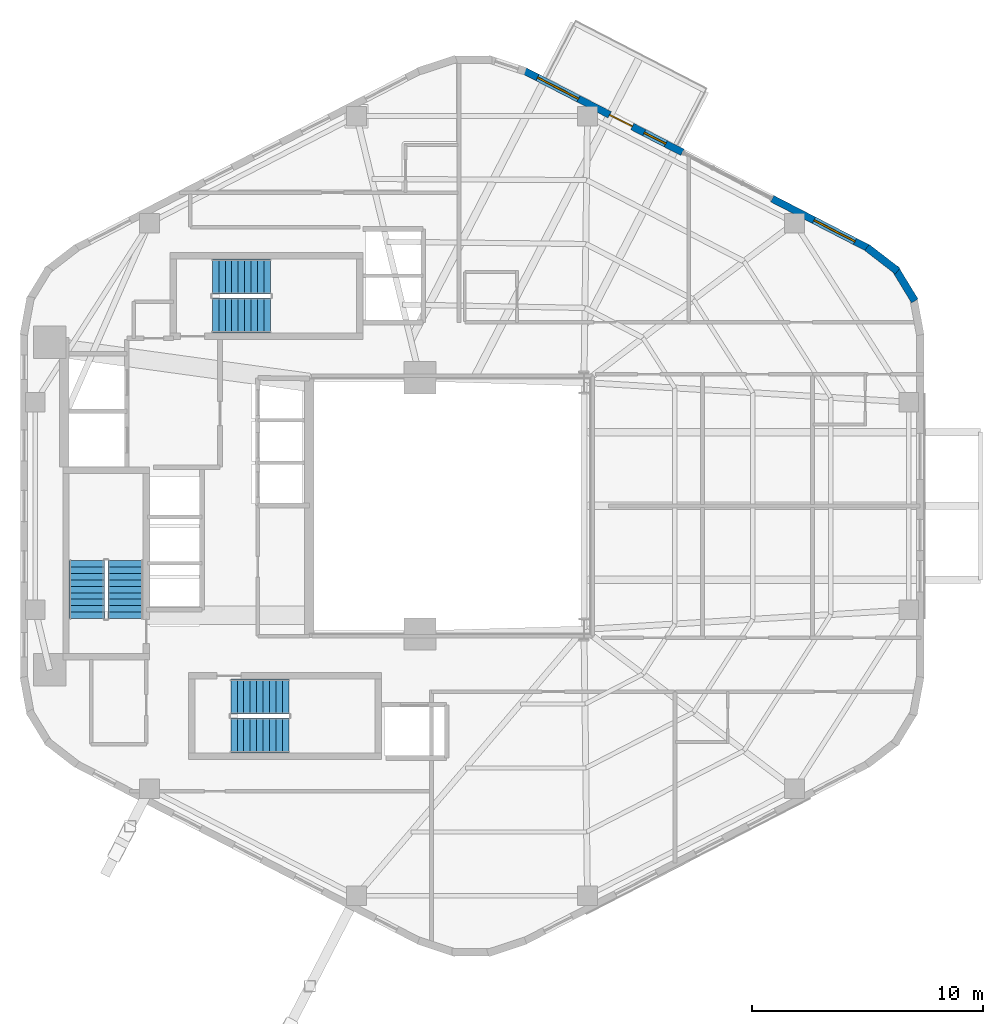
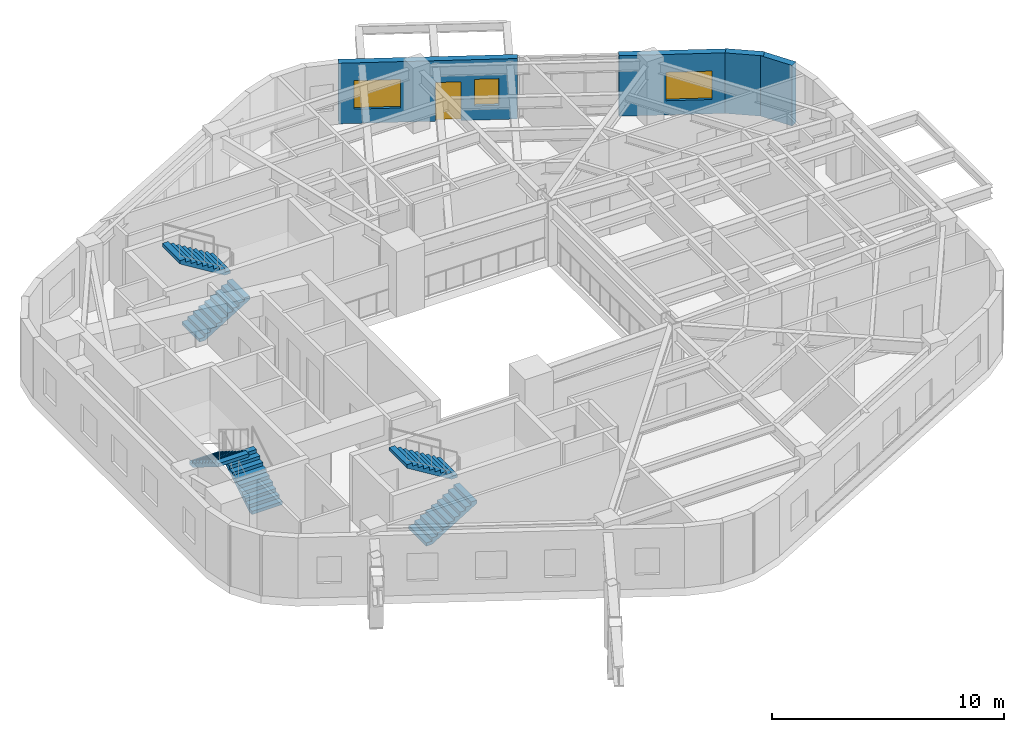
# One storey, part 10 of 12: 6 stair flights, 4 walls, 3 windows, 1 door, 4 openings, 3 elements without a shape of their own.
"""IFC4 building model written with IfcOpenShell, lengths in metres."""

import ifcopenshell
import ifcopenshell.guid

model = None  # the IFC model being written
_history = None  # IfcOwnerHistory: only IFC2X3 demands one
_inside = {}  # id of a spatial element -> (the spatial element, [elements in it])
_under = {}  # id of a project, library or spatial element -> (it, [spatial elements below it])
_declared = {}  # id of a project -> (the project, [libraries it declares])
_typed = {}  # id of a type object -> (the type object, [elements of that type])
_made_of = {}  # id of a material, layer set ... -> (it, [elements and type objects made of it])


def new_model(schema):
    """Start an empty IFC model of exactly this schema.

    Asked for "IFC4X3", IfcOpenShell would pick the latest addendum, in which some entities
    have other attributes; the version numbers below select the first issue.
    IFC2X3 requires an IfcOwnerHistory on every rooted entity: one is made here for all.
    """
    global model, _history
    if schema == "IFC4X3":
        model = ifcopenshell.file(schema_version=(4, 3, 0, 0))
    else:
        model = ifcopenshell.file(schema=schema)
    _inside.clear()
    _under.clear()
    _declared.clear()
    _typed.clear()
    _made_of.clear()
    _history = None
    if model.schema == "IFC2X3":
        org = make("IfcOrganization", Name="unknown")
        user = make(
            "IfcPersonAndOrganization",
            ThePerson=make("IfcPerson", FamilyName="unknown"),
            TheOrganization=org,
        )
        app = make(
            "IfcApplication",
            ApplicationDeveloper=org,
            Version="unknown",
            ApplicationFullName="unknown",
            ApplicationIdentifier="unknown",
        )
        _history = make(
            "IfcOwnerHistory",
            OwningUser=user,
            OwningApplication=app,
            ChangeAction="ADDED",
            CreationDate=0,
        )
    return model


def make(cls, **values):
    """One entity of the class cls with the attributes given. An attribute that is None is left unset."""
    return model.create_entity(
        cls, **{name: value for name, value in values.items() if value is not None}
    )


def rooted(cls, **values):
    """An entity with a GlobalId (a new one), such as an element, a storey or a relation."""
    return make(cls, GlobalId=ifcopenshell.guid.new(), OwnerHistory=_history, **values)


def si_unit(unit_type, name, prefix=None):
    """IfcSIUnit, for example si_unit("LENGTHUNIT", "METRE", prefix="MILLI")."""
    return make("IfcSIUnit", UnitType=unit_type, Prefix=prefix, Name=name)


def assignment(units):
    """IfcUnitAssignment: the units of a project."""
    return None if units is None else make("IfcUnitAssignment", Units=units)


def point(xyz):
    """IfcCartesianPoint."""
    return None if xyz is None else make("IfcCartesianPoint", Coordinates=xyz)


def direction(xyz):
    """IfcDirection."""
    return None if xyz is None else make("IfcDirection", DirectionRatios=xyz)


def frame(location, z_axis=None, x_axis=None):
    """IfcAxis2Placement3D, a coordinate frame: its origin and axes. An axis left out is left unset."""
    return make(
        "IfcAxis2Placement3D",
        Location=point(location),
        Axis=direction(z_axis),
        RefDirection=direction(x_axis),
    )


def frame_2d(location, x_axis=None):
    """IfcAxis2Placement2D, a coordinate frame in the plane: its origin and x axis."""
    return make(
        "IfcAxis2Placement2D", Location=point(location), RefDirection=direction(x_axis)
    )


def origin():
    """The frame at (0, 0, 0) with its axes left unset."""
    return frame((0.0, 0.0, 0.0))


def place(relative_to, where):
    """IfcLocalPlacement: puts the frame where relative to a parent placement (None: the world)."""
    return make(
        "IfcLocalPlacement", PlacementRelTo=relative_to, RelativePlacement=where
    )


def context(
    kind, dimensions, precision=None, world=None, true_north=None, identifier=None
):
    """IfcGeometricRepresentationContext, for example the 3D "Model" context."""
    return make(
        "IfcGeometricRepresentationContext",
        ContextIdentifier=identifier,
        ContextType=kind,
        CoordinateSpaceDimension=dimensions,
        Precision=precision,
        WorldCoordinateSystem=world,
        TrueNorth=true_north,
    )


def subcontext(parent, identifier, kind, view, scale=None):
    """IfcGeometricRepresentationSubContext, for example "Body" below "Model"."""
    return make(
        "IfcGeometricRepresentationSubContext",
        ContextIdentifier=identifier,
        ContextType=kind,
        ParentContext=parent,
        TargetScale=scale,
        TargetView=view,
    )


def project(units=None, contexts=None):
    """IfcProject with its units and contexts."""
    return rooted(
        "IfcProject",
        Name="project",
        RepresentationContexts=contexts,
        UnitsInContext=assignment(units),
    )


def spatial(cls, under=None, at=None, **own):
    """A site, building, storey or space (cls), placed at a placement, below another one or the project."""
    s = rooted(cls, ObjectPlacement=at, **own)
    if under is not None:
        _under.setdefault(under.id(), (under, []))[1].append(s)
    return s


def polyline(points):
    """IfcPolyline through the points."""
    return make("IfcPolyline", Points=[point(p) for p in points])


def profile(cls, at=None, kind="AREA", **sizes):
    """A parametric profile (cls). Its sizes go by their IFC names, for example OverallWidth=200.0."""
    return make(cls, ProfileType=kind, Position=at, **sizes)


def rectangle(**sizes):
    """IfcRectangleProfileDef."""
    return profile("IfcRectangleProfileDef", **sizes)


def outline(outer, holes=None, kind="AREA"):
    """IfcArbitraryClosedProfileDef: a profile drawn as a closed curve; with holes, ...WithVoids."""
    if holes is None:
        return make("IfcArbitraryClosedProfileDef", ProfileType=kind, OuterCurve=outer)
    return make(
        "IfcArbitraryProfileDefWithVoids",
        ProfileType=kind,
        OuterCurve=outer,
        InnerCurves=holes,
    )


def extrude(swept, where, along, depth):
    """IfcExtrudedAreaSolid: the profile swept, set in the frame where, extruded along a direction by depth."""
    return make(
        "IfcExtrudedAreaSolid",
        SweptArea=swept,
        Position=where,
        ExtrudedDirection=direction(along),
        Depth=depth,
    )


def shape(context_of_items, identifier, shape_type, items):
    """IfcShapeRepresentation: the items that make up one representation, for example the "Body"."""
    return make(
        "IfcShapeRepresentation",
        ContextOfItems=context_of_items,
        RepresentationIdentifier=identifier,
        RepresentationType=shape_type,
        Items=items,
    )


def material(Name=None, Category=None):
    """IfcMaterial."""
    return make("IfcMaterial", Name=Name, Category=Category)


def layer(
    of_material, thickness, ventilated=None, Name=None, Category=None, Priority=None
):
    """IfcMaterialLayer: one layer of a wall or slab, of a material (None: an air gap)."""
    return make(
        "IfcMaterialLayer",
        Material=of_material,
        LayerThickness=thickness,
        IsVentilated=ventilated,
        Name=Name,
        Category=Category,
        Priority=Priority,
    )


def layer_set(layers, Name=None):
    """IfcMaterialLayerSet."""
    return make("IfcMaterialLayerSet", MaterialLayers=layers, LayerSetName=Name)


def made_of(thing, what):
    """Note that an element or type object is made of a material, layer set ...; save() writes the relation."""
    if what is not None:
        _made_of.setdefault(what.id(), (what, []))[1].append(thing)
    return thing


def type_object(cls, material=None, **own):
    """A type object (cls), such as IfcWallType, which elements share."""
    return made_of(rooted(cls, **own), material)


def element(
    cls,
    number,
    at=None,
    inside=None,
    cuts=None,
    type_object=None,
    material=None,
    context=None,
    identifier="Body",
    shape_type=None,
    held_by="IfcProductDefinitionShape",
    body=None,
    shapes=None,
    **own,
):
    """One element of the class cls, such as IfcWall. Its Tag is "e" and its number.

    at: its placement. inside: the storey or other place that contains it. cuts: it is an
    opening in that element (IfcRelVoidsElement). A single representation is given by context,
    identifier, shape_type and body (its items); several are given by shapes. held_by: the class
    of the entity that holds the representations. save() writes the other relations.
    """
    e = rooted(cls, Tag="e%d" % number, ObjectPlacement=at, **own)
    if body is not None:
        shapes = [shape(context, identifier, shape_type, body)]
    if shapes is not None:
        e.Representation = make(held_by, Representations=shapes)
    if inside is not None:
        _inside.setdefault(inside.id(), (inside, []))[1].append(e)
    if cuts is not None:
        rooted(
            "IfcRelVoidsElement", RelatingBuildingElement=cuts, RelatedOpeningElement=e
        )
    if type_object is not None:
        _typed.setdefault(type_object.id(), (type_object, []))[1].append(e)
    return made_of(e, material)


def fill(opening, filler):
    """IfcRelFillsElement: the door or window that sits in an opening."""
    return rooted(
        "IfcRelFillsElement",
        RelatingOpeningElement=opening,
        RelatedBuildingElement=filler,
    )


def aggregate(whole, parts):
    """IfcRelAggregates: a whole, such as a stair, and the parts it consists of."""
    return rooted("IfcRelAggregates", RelatingObject=whole, RelatedObjects=parts)


def save(model, path):
    """Write the relations noted so far, then the file.

    IfcRelAggregates (storeys below a building ...), IfcRelContainedInSpatialStructure (elements
    in a storey), IfcRelDefinesByType, IfcRelAssociatesMaterial and IfcRelDeclares: one each for
    every whole, place, type object, material and project.
    """
    for whole, parts in _under.values():
        aggregate(whole, parts)
    for where, things in _inside.values():
        rooted(
            "IfcRelContainedInSpatialStructure",
            RelatedElements=things,
            RelatingStructure=where,
        )
    for kind, things in _typed.values():
        rooted("IfcRelDefinesByType", RelatedObjects=things, RelatingType=kind)
    for what, things in _made_of.values():
        rooted("IfcRelAssociatesMaterial", RelatedObjects=things, RelatingMaterial=what)
    for by, libraries in _declared.values():
        rooted("IfcRelDeclares", RelatingContext=by, RelatedDefinitions=libraries)
    model.write(path)


model = new_model("IFC4")

# Units and contexts
model_context = context("Model", 3, precision=1e-05, world=origin(), true_north=direction((0.0, 1.0)))
body_context = subcontext(model_context, "Body", "Model", "MODEL_VIEW")
ifc_project = project(units=[si_unit("LENGTHUNIT", "METRE"), si_unit("AREAUNIT", "SQUARE_METRE"), si_unit("VOLUMEUNIT", "CUBIC_METRE"), si_unit("PLANEANGLEUNIT", "RADIAN"), si_unit("MASSUNIT", "GRAM", prefix="KILO"), si_unit("THERMODYNAMICTEMPERATUREUNIT", "KELVIN"), si_unit("POWERUNIT", "WATT")], contexts=[model_context])

# Site, building, storey
site_placement = place(None, origin())
site = spatial("IfcSite", under=ifc_project, at=site_placement, CompositionType="ELEMENT")
building_placement = place(site_placement, origin())
building = spatial("IfcBuilding", under=site, at=building_placement, Name="Skarre Station Tower", CompositionType="ELEMENT")
storey_placement = place(building_placement, frame((0.0, 0.0, 163.64990234375)))
storey = spatial("IfcBuildingStorey", under=building, at=storey_placement, Name="L44", CompositionType="ELEMENT", Elevation=163.64990234375)

# Walls
ifc_material_1 = material(Name="Precast concrete C45/55", Category="concrete")
ifc_layer_1 = layer(ifc_material_1, 0.330078125, Name="Precast concrete C45/55")
ifc_layer_set_1 = layer_set([ifc_layer_1], Name="Precast concrete C45/55")
wall_type_1 = type_object("IfcWallType", Name="Nordic Rounded Corner Precast Wall 330", PredefinedType="STANDARD", material=ifc_layer_set_1)
wall_1_placement = place(storey_placement, frame((51.7109375, 35.199951171875, 0.0), z_axis=(0.0, 0.0, 1.0), x_axis=(0.791464279355, -0.611215423976, 0.0)))
element("IfcWall", 1, at=wall_1_placement, inside=storey, type_object=wall_type_1, Name="L44 Rounded Corner Precast Wall F0-1", PredefinedType="STANDARD", context=body_context, shape_type="SweptSolid", body=[
    extrude(rectangle(XDim=1.6767578125, YDim=0.330078125, at=frame_2d((0.83837890625, 0.0))), origin(), (0.0, 0.0, 1.0), 3.190185546875),
])
wall_2_placement = place(storey_placement, frame((52.912109375, 34.31494140625, 0.0), z_axis=(0.0, 0.0, 1.0), x_axis=(0.520219286058, -0.85403272444, 0.0)))
element("IfcWall", 2, at=wall_2_placement, inside=storey, type_object=wall_type_1, Name="L44 Rounded Corner Precast Wall F0-2", PredefinedType="STANDARD", context=body_context, shape_type="SweptSolid", body=[
    extrude(rectangle(XDim=1.677734375, YDim=0.330078125, at=frame_2d((0.8388671875, 0.0))), origin(), (0.0, 0.0, 1.0), 3.190185546875),
])

# Wall, openings, windows, door
ifc_layer_2 = layer(ifc_material_1, 0.31005859375, Name="Precast concrete C45/55")
ifc_layer_set_2 = layer_set([ifc_layer_2], Name="Precast concrete C45/55")
wall_type_2 = type_object("IfcWallType", Name="Nordic Upper-Zone Precast Facet Wall 310", PredefinedType="STANDARD", material=ifc_layer_set_2)
wall_3_placement = place(storey_placement, frame((36.837890625, 42.87109375, 0.0), z_axis=(0.0, 0.0, 1.0), x_axis=(0.888645948291, -0.458593914686, 0.0)))
wall_3 = element("IfcWall", 3, at=wall_3_placement, inside=storey, type_object=wall_type_2, Name="L44 Facet 0 Pier A", PredefinedType="STANDARD", context=body_context, shape_type="SweptSolid", body=[
    extrude(rectangle(XDim=7.7412109375, YDim=0.31005859375, at=frame_2d((3.87060546875, 0.0))), origin(), (0.0, 0.0, 1.0), 3.190185546875),
])
opening_1_placement = place(wall_3_placement, frame((4.196044921875, 0.0, 0.0)))
opening_1 = element("IfcOpeningElement", 4, at=opening_1_placement, cuts=wall_3, Name="Opening DR-BAL110", PredefinedType="OPENING", context=body_context, shape_type="SweptSolid", body=[
    extrude(rectangle(XDim=1.10009765625, YDim=2.0400390625, at=frame_2d((0.550048828125, 1.02001953125))), frame((0.0, 0.1650390625, 0.0), z_axis=(0.0, -1.0, 0.0), x_axis=(1.0, 0.0, 0.0)), (0.0, 0.0, 1.0), 0.330078125),
])
opening_2_placement = place(wall_3_placement, frame((0.675048828125, 0.0, 0.75)))
opening_2 = element("IfcOpeningElement", 5, at=opening_2_placement, cuts=wall_3, Name="Opening WN-Z3A", PredefinedType="OPENING", context=body_context, shape_type="SweptSolid", body=[
    extrude(rectangle(XDim=2.0, YDim=1.5, at=frame_2d((1.0, 0.75))), frame((0.0, 0.1650390625, 0.0), z_axis=(0.0, -1.0, 0.0), x_axis=(1.0, 0.0, 0.0)), (0.0, 0.0, 1.0), 0.330078125),
])
opening_3_placement = place(wall_3_placement, frame((5.87890625, 0.0, 0.75)))
opening_3 = element("IfcOpeningElement", 6, at=opening_3_placement, cuts=wall_3, Name="Opening WN-SLT", PredefinedType="OPENING", context=body_context, shape_type="SweptSolid", body=[
    extrude(rectangle(XDim=1.050048828125, YDim=1.39990234375, at=frame_2d((0.52490234375, 0.699951171875))), frame((0.0, 0.1650390625, 0.0), z_axis=(0.0, -1.0, 0.0), x_axis=(1.0, 0.0, 0.0)), (0.0, 0.0, 1.0), 0.330078125),
])
ifc_material_2 = material(Name="Low-Iron Triple Glazing with Bronze Anodized Frame", Category="glass")
window_type_1 = type_object("IfcWindowType", Name="Nordic Corner Slot Window 1050x1400", PartitioningType="SINGLE_PANEL", PredefinedType="WINDOW", material=ifc_material_2)
window_1_placement = place(opening_3_placement, origin())
window_1 = element("IfcWindow", 7, at=window_1_placement, inside=storey, type_object=window_type_1, Name="L44 Facade Window WL-FAC-L44-F0A-2", OverallHeight=1.39990234375, OverallWidth=1.050048828125, PartitioningType="SINGLE_PANEL", PredefinedType="WINDOW", context=body_context, shape_type="SweptSolid", body=[
    extrude(rectangle(XDim=1.050048828125, YDim=1.39990234375, at=frame_2d((0.52490234375, 0.699951171875))), frame((0.0, 0.030029296875, 0.0), z_axis=(0.0, -1.0, 0.0), x_axis=(1.0, 0.0, 0.0)), (0.0, 0.0, 1.0), 0.06005859375),
])
fill(opening_3, window_1)
window_type_2 = type_object("IfcWindowType", Name="Nordic Hospitality Window 2000x1500", PartitioningType="SINGLE_PANEL", PredefinedType="WINDOW", material=ifc_material_2)
window_2_placement = place(opening_2_placement, origin())
window_2 = element("IfcWindow", 8, at=window_2_placement, inside=storey, type_object=window_type_2, Name="L44 Facade Window WL-FAC-L44-F0A-1", OverallHeight=1.5, OverallWidth=2.0, PartitioningType="SINGLE_PANEL", PredefinedType="WINDOW", context=body_context, shape_type="SweptSolid", body=[
    extrude(rectangle(XDim=2.0, YDim=1.5, at=frame_2d((1.0, 0.75))), frame((0.0, 0.030029296875, 0.0), z_axis=(0.0, -1.0, 0.0), x_axis=(1.0, 0.0, 0.0)), (0.0, 0.0, 1.0), 0.06005859375),
])
fill(opening_2, window_2)
ifc_material_3 = material(Name="Thermally Broken Aluminium & Triple Glazing", Category="aluminium")
door_type = type_object("IfcDoorType", Name="Terrace & Tree-Balcony Glazed Door 1100x2200", OperationType="SINGLE_SWING_LEFT", PredefinedType="DOOR", material=ifc_material_3)
door_placement = place(opening_1_placement, origin())
door = element("IfcDoor", 9, at=door_placement, inside=storey, type_object=door_type, Name="L44 SG-2 Conservatory Terrace Door", OperationType="SINGLE_SWING_LEFT", OverallHeight=2.0400390625, OverallWidth=1.10009765625, PredefinedType="DOOR", context=body_context, shape_type="SweptSolid", body=[
    extrude(rectangle(XDim=1.10009765625, YDim=2.0400390625, at=frame_2d((0.550048828125, 1.02001953125))), frame((0.0, 0.02490234375, 0.0), z_axis=(0.0, -1.0, 0.0), x_axis=(1.0, 0.0, 0.0)), (0.0, 0.0, 1.0), 0.050048828125),
])
fill(opening_1, door)

# Wall, opening, window
wall_4_placement = place(storey_placement, frame((47.60498046875, 37.31396484375, 0.0), z_axis=(0.0, 0.0, 1.0), x_axis=(0.888633599899, -0.458617842141, 0.0)))
wall_4 = element("IfcWall", 10, at=wall_4_placement, inside=storey, type_object=wall_type_2, Name="L44 Facet 0 Pier B", PredefinedType="STANDARD", context=body_context, shape_type="SweptSolid", body=[
    extrude(rectangle(XDim=4.711669921875, YDim=0.31005859375, at=frame_2d((2.35595703125, 0.0))), origin(), (0.0, 0.0, 1.0), 3.190185546875),
])
opening_4_placement = place(wall_4_placement, frame((2.035888671875, 0.0, 0.75)))
opening_4 = element("IfcOpeningElement", 11, at=opening_4_placement, cuts=wall_4, Name="Opening WN-Z3A", PredefinedType="OPENING", context=body_context, shape_type="SweptSolid", body=[
    extrude(rectangle(XDim=2.0, YDim=1.5, at=frame_2d((1.0, 0.75))), frame((0.0, 0.1650390625, 0.0), z_axis=(0.0, -1.0, 0.0), x_axis=(1.0, 0.0, 0.0)), (0.0, 0.0, 1.0), 0.330078125),
])
window_3_placement = place(opening_4_placement, origin())
window_3 = element("IfcWindow", 12, at=window_3_placement, inside=storey, type_object=window_type_2, Name="L44 Facade Window WL-FAC-L44-F0B-1", OverallHeight=1.5, OverallWidth=2.0, PartitioningType="SINGLE_PANEL", PredefinedType="WINDOW", context=body_context, shape_type="SweptSolid", body=[
    extrude(rectangle(XDim=2.0, YDim=1.5, at=frame_2d((1.0, 0.75))), frame((0.0, 0.030029296875, 0.0), z_axis=(0.0, -1.0, 0.0), x_axis=(1.0, 0.0, 0.0)), (0.0, 0.0, 1.0), 0.06005859375),
])
fill(opening_4, window_3)

# Stair, stair flights
ifc_material_4 = material(Name="Concrete C40/50", Category="concrete")
stair_type_1 = type_object("IfcStairType", Name="Reinforced Concrete Exit Stair ST-1", PredefinedType="HALF_TURN_STAIR", material=ifc_material_4)
stair_1_placement = place(storey_placement, origin())
stair_1 = element("IfcStair", 13, at=stair_1_placement, inside=storey, type_object=stair_type_1, Name="L44 Core Exit Stair ST-1", PredefinedType="HALF_TURN_STAIR")
stair_flight_type_1 = type_object("IfcStairFlightType", Name="Reinforced Concrete Stair Flight ST-1", PredefinedType="STRAIGHT", material=ifc_material_4)
stair_flight_1_placement = place(storey_placement, frame((19.590087890625, 19.1201171875, 0.0), z_axis=(0.0, 0.0, 1.0), x_axis=(0.0, 1.0, 0.0)))
stair_flight_1 = element("IfcStairFlight", 14, at=stair_flight_1_placement, type_object=stair_flight_type_1, Name="ST-1 flight 1", NumberOfRisers=10, NumberOfTreads=9, PredefinedType="STRAIGHT", RiserHeight=0.1725, TreadLength=0.28, context=body_context, shape_type="SweptSolid", body=[
    extrude(outline(polyline([(0.0, 0.0), (0.0, 0.172607421875), (0.280029296875, 0.172607421875), (0.280029296875, 0.344970703125), (0.56005859375, 0.344970703125), (0.56005859375, 0.517578125), (0.840087890625, 0.517578125), (0.840087890625, 0.68994140625), (1.1201171875, 0.68994140625), (1.1201171875, 0.862548828125), (1.39990234375, 0.862548828125), (1.39990234375, 1.034912109375), (1.679931640625, 1.034912109375), (1.679931640625, 1.20751953125), (1.9599609375, 1.20751953125), (1.9599609375, 1.3798828125), (2.239990234375, 1.3798828125), (2.239990234375, 1.552490234375), (2.52001953125, 1.552490234375), (2.52001953125, 1.72509765625), (2.52001953125, 1.37646484375), (0.285888671875, 0.0), (0.0, 0.0)])), frame((0.0, 0.760009765625, 0.0), z_axis=(0.0, -1.0, 0.0), x_axis=(1.0, 0.0, 0.0)), (0.0, 0.0, 1.0), 1.52001953125),
])
stair_flight_2_placement = place(storey_placement, frame((17.909912109375, 21.639892578125, 1.72509765625), z_axis=(0.0, 0.0, 1.0), x_axis=(0.0, -1.0, 0.0)))
stair_flight_2 = element("IfcStairFlight", 15, at=stair_flight_2_placement, type_object=stair_flight_type_1, Name="ST-1 flight 2", NumberOfRisers=10, NumberOfTreads=9, PredefinedType="STRAIGHT", RiserHeight=0.1725, TreadLength=0.28, context=body_context, shape_type="SweptSolid", body=[
    extrude(outline(polyline([(0.0, 0.0), (0.0, 0.172607421875), (0.280029296875, 0.172607421875), (0.280029296875, 0.344970703125), (0.56005859375, 0.344970703125), (0.56005859375, 0.517578125), (0.840087890625, 0.517578125), (0.840087890625, 0.68994140625), (1.1201171875, 0.68994140625), (1.1201171875, 0.862548828125), (1.39990234375, 0.862548828125), (1.39990234375, 1.034912109375), (1.679931640625, 1.034912109375), (1.679931640625, 1.20751953125), (1.9599609375, 1.20751953125), (1.9599609375, 1.3798828125), (2.239990234375, 1.3798828125), (2.239990234375, 1.552490234375), (2.52001953125, 1.552490234375), (2.52001953125, 1.72509765625), (2.52001953125, 1.37646484375), (0.285888671875, 0.0), (0.0, 0.0)])), frame((0.0, 0.760009765625, 0.0), z_axis=(0.0, -1.0, 0.0), x_axis=(1.0, 0.0, 0.0)), (0.0, 0.0, 1.0), 1.52001953125),
])
aggregate(stair_1, [stair_flight_1, stair_flight_2])

stair_type_2 = type_object("IfcStairType", Name="Reinforced Concrete Exit Stair ST-2", PredefinedType="HALF_TURN_STAIR", material=ifc_material_4)
stair_2_placement = place(storey_placement, origin())
stair_2 = element("IfcStair", 16, at=stair_2_placement, inside=storey, type_object=stair_type_2, Name="L44 Core Exit Stair ST-2", PredefinedType="HALF_TURN_STAIR")
stair_flight_type_2 = type_object("IfcStairFlightType", Name="Reinforced Concrete Stair Flight ST-2", PredefinedType="STRAIGHT", material=ifc_material_4)
stair_flight_3_placement = place(storey_placement, frame((24.14990234375, 14.06005859375, 0.0), z_axis=(0.0, 0.0, 1.0), x_axis=(1.0, 0.0, 0.0)))
stair_flight_3 = element("IfcStairFlight", 17, at=stair_flight_3_placement, type_object=stair_flight_type_2, Name="ST-2 flight 1", NumberOfRisers=10, NumberOfTreads=9, PredefinedType="STRAIGHT", RiserHeight=0.1725, TreadLength=0.28, context=body_context, shape_type="SweptSolid", body=[
    extrude(outline(polyline([(0.0, 0.0), (0.0, 0.172607421875), (0.280029296875, 0.172607421875), (0.280029296875, 0.344970703125), (0.56005859375, 0.344970703125), (0.56005859375, 0.517578125), (0.840087890625, 0.517578125), (0.840087890625, 0.68994140625), (1.1201171875, 0.68994140625), (1.1201171875, 0.862548828125), (1.39990234375, 0.862548828125), (1.39990234375, 1.034912109375), (1.679931640625, 1.034912109375), (1.679931640625, 1.20751953125), (1.9599609375, 1.20751953125), (1.9599609375, 1.3798828125), (2.239990234375, 1.3798828125), (2.239990234375, 1.552490234375), (2.52001953125, 1.552490234375), (2.52001953125, 1.72509765625), (2.52001953125, 1.37646484375), (0.285888671875, 0.0), (0.0, 0.0)])), frame((0.0, 0.760009765625, 0.0), z_axis=(0.0, -1.0, 0.0), x_axis=(1.0, 0.0, 0.0)), (0.0, 0.0, 1.0), 1.52001953125),
])
stair_flight_4_placement = place(storey_placement, frame((26.669921875, 15.739990234375, 1.72509765625), z_axis=(0.0, 0.0, 1.0), x_axis=(-1.0, 0.0, 0.0)))
stair_flight_4 = element("IfcStairFlight", 18, at=stair_flight_4_placement, type_object=stair_flight_type_2, Name="ST-2 flight 2", NumberOfRisers=10, NumberOfTreads=9, PredefinedType="STRAIGHT", RiserHeight=0.1725, TreadLength=0.28, context=body_context, shape_type="SweptSolid", body=[
    extrude(outline(polyline([(0.0, 0.0), (0.0, 0.172607421875), (0.280029296875, 0.172607421875), (0.280029296875, 0.344970703125), (0.56005859375, 0.344970703125), (0.56005859375, 0.517578125), (0.840087890625, 0.517578125), (0.840087890625, 0.68994140625), (1.1201171875, 0.68994140625), (1.1201171875, 0.862548828125), (1.39990234375, 0.862548828125), (1.39990234375, 1.034912109375), (1.679931640625, 1.034912109375), (1.679931640625, 1.20751953125), (1.9599609375, 1.20751953125), (1.9599609375, 1.3798828125), (2.239990234375, 1.3798828125), (2.239990234375, 1.552490234375), (2.52001953125, 1.552490234375), (2.52001953125, 1.72509765625), (2.52001953125, 1.37646484375), (0.285888671875, 0.0), (0.0, 0.0)])), frame((0.0, 0.760009765625, 0.0), z_axis=(0.0, -1.0, 0.0), x_axis=(1.0, 0.0, 0.0)), (0.0, 0.0, 1.0), 1.52001953125),
])
aggregate(stair_2, [stair_flight_3, stair_flight_4])

stair_type_3 = type_object("IfcStairType", Name="Reinforced Concrete Exit Stair ST-3", PredefinedType="HALF_TURN_STAIR", material=ifc_material_4)
stair_3_placement = place(storey_placement, origin())
stair_3 = element("IfcStair", 19, at=stair_3_placement, inside=storey, type_object=stair_type_3, Name="L44 Core Exit Stair ST-3", PredefinedType="HALF_TURN_STAIR")
stair_flight_type_3 = type_object("IfcStairFlightType", Name="Reinforced Concrete Stair Flight ST-3", PredefinedType="STRAIGHT", material=ifc_material_4)
stair_flight_5_placement = place(storey_placement, frame((23.35009765625, 32.260009765625, 0.0), z_axis=(0.0, 0.0, 1.0), x_axis=(1.0, 0.0, 0.0)))
stair_flight_5 = element("IfcStairFlight", 20, at=stair_flight_5_placement, type_object=stair_flight_type_3, Name="ST-3 flight 1", NumberOfRisers=10, NumberOfTreads=9, PredefinedType="STRAIGHT", RiserHeight=0.1725, TreadLength=0.28, context=body_context, shape_type="SweptSolid", body=[
    extrude(outline(polyline([(0.0, 0.0), (0.0, 0.172607421875), (0.280029296875, 0.172607421875), (0.280029296875, 0.344970703125), (0.56005859375, 0.344970703125), (0.56005859375, 0.517578125), (0.840087890625, 0.517578125), (0.840087890625, 0.68994140625), (1.1201171875, 0.68994140625), (1.1201171875, 0.862548828125), (1.39990234375, 0.862548828125), (1.39990234375, 1.034912109375), (1.679931640625, 1.034912109375), (1.679931640625, 1.20751953125), (1.9599609375, 1.20751953125), (1.9599609375, 1.3798828125), (2.239990234375, 1.3798828125), (2.239990234375, 1.552490234375), (2.52001953125, 1.552490234375), (2.52001953125, 1.72509765625), (2.52001953125, 1.37646484375), (0.285888671875, 0.0), (0.0, 0.0)])), frame((0.0, 0.760009765625, 0.0), z_axis=(0.0, -1.0, 0.0), x_axis=(1.0, 0.0, 0.0)), (0.0, 0.0, 1.0), 1.52001953125),
])
stair_flight_6_placement = place(storey_placement, frame((25.8701171875, 33.93994140625, 1.72509765625), z_axis=(0.0, 0.0, 1.0), x_axis=(-1.0, 0.0, 0.0)))
stair_flight_6 = element("IfcStairFlight", 21, at=stair_flight_6_placement, type_object=stair_flight_type_3, Name="ST-3 flight 2", NumberOfRisers=10, NumberOfTreads=9, PredefinedType="STRAIGHT", RiserHeight=0.1725, TreadLength=0.28, context=body_context, shape_type="SweptSolid", body=[
    extrude(outline(polyline([(0.0, 0.0), (0.0, 0.172607421875), (0.280029296875, 0.172607421875), (0.280029296875, 0.344970703125), (0.56005859375, 0.344970703125), (0.56005859375, 0.517578125), (0.840087890625, 0.517578125), (0.840087890625, 0.68994140625), (1.1201171875, 0.68994140625), (1.1201171875, 0.862548828125), (1.39990234375, 0.862548828125), (1.39990234375, 1.034912109375), (1.679931640625, 1.034912109375), (1.679931640625, 1.20751953125), (1.9599609375, 1.20751953125), (1.9599609375, 1.3798828125), (2.239990234375, 1.3798828125), (2.239990234375, 1.552490234375), (2.52001953125, 1.552490234375), (2.52001953125, 1.72509765625), (2.52001953125, 1.37646484375), (0.285888671875, 0.0), (0.0, 0.0)])), frame((0.0, 0.760009765625, 0.0), z_axis=(0.0, -1.0, 0.0), x_axis=(1.0, 0.0, 0.0)), (0.0, 0.0, 1.0), 1.52001953125),
])
aggregate(stair_3, [stair_flight_5, stair_flight_6])

save(model, "model.ifc")
